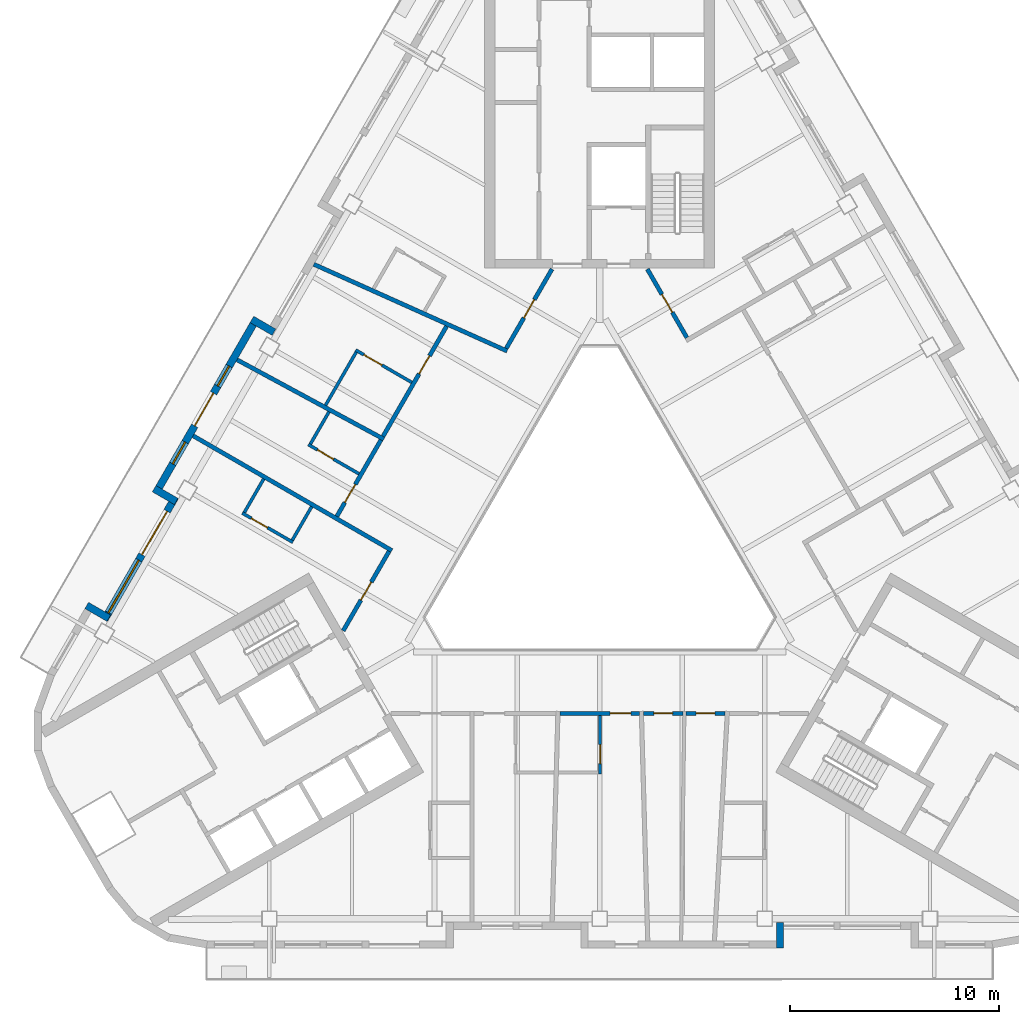
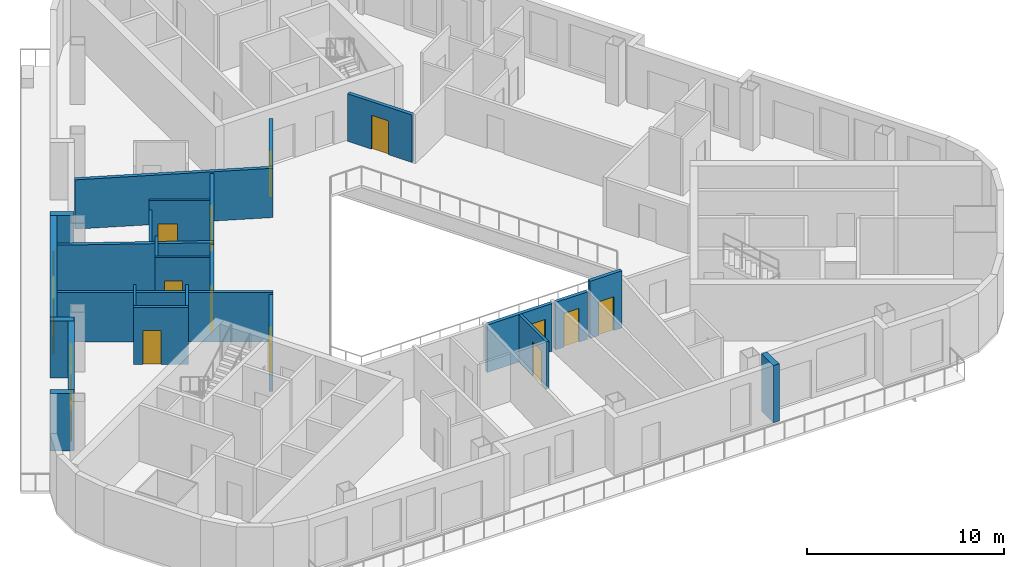
# One storey, part 4 of 14: 25 walls, 14 doors, 3 windows, 17 openings.
"""IFC4 building model written with IfcOpenShell, lengths in metres."""

from ifc_helpers import new_model, si_unit, direction, frame, frame_2d, origin, place, context, subcontext, project, spatial, rectangle, extrude, material, layer, layer_set, type_object, element, fill, save


model = new_model("IFC4")

# Units and contexts
model_context = context("Model", 3, precision=1e-05, world=origin(), true_north=direction((0.0, 1.0)))
body_context = subcontext(model_context, "Body", "Model", "MODEL_VIEW")
ifc_project = project(units=[si_unit("LENGTHUNIT", "METRE"), si_unit("AREAUNIT", "SQUARE_METRE"), si_unit("VOLUMEUNIT", "CUBIC_METRE"), si_unit("PLANEANGLEUNIT", "RADIAN"), si_unit("MASSUNIT", "GRAM", prefix="KILO")], contexts=[model_context])

# Site, building, storey
site_placement = place(None, origin())
site = spatial("IfcSite", under=ifc_project, at=site_placement, CompositionType="ELEMENT")
building_placement = place(site_placement, origin())
building = spatial("IfcBuilding", under=site, at=building_placement, Name="Apuvela Tower Hotel", CompositionType="ELEMENT")
storey_placement = place(building_placement, frame((0.0, 0.0, 220.60009765625)))
storey = spatial("IfcBuildingStorey", under=building, at=storey_placement, Name="L54", CompositionType="ELEMENT", Elevation=220.60009765625)

# Wall
ifc_material_1 = material(Name="Concrete C40/50, dark pigmented precast panel", Category="concrete")
ifc_layer_1 = layer(ifc_material_1, 0.35009765625)
ifc_layer_set_1 = layer_set([ifc_layer_1], Name="ENV-WALL-350")
wall_type_1 = type_object("IfcWallType", Name="ENV-WALL-350", PredefinedType="SOLIDWALL", material=ifc_layer_set_1)
wall_1_placement = place(storey_placement, frame((-15.580810546875, 9.8330078125, 0.0), z_axis=(0.0, 0.0, 1.0), x_axis=(-0.866055662726, 0.499947586314, 0.0)))
element("IfcWall", 1, at=wall_1_placement, inside=storey, type_object=wall_type_1, Name="External wall L54-04", PredefinedType="SOLIDWALL", context=body_context, shape_type="SweptSolid", body=[
    extrude(rectangle(XDim=1.220458984375, YDim=0.35009765625, at=frame_2d((0.6103515625, 0.0))), origin(), (0.0, 0.0, 1.0), 3.5498046875),
])

# Wall, openings, door, windows
wall_2_placement = place(storey_placement, frame((-16.3984375, 10.507080078125, 0.0), z_axis=(0.0, 0.0, 1.0), x_axis=(-0.499999142773, -0.866025898704, 0.0)))
wall_2 = element("IfcWall", 2, at=wall_2_placement, inside=storey, type_object=wall_type_1, Name="External wall L54-05", PredefinedType="SOLIDWALL", context=body_context, shape_type="SweptSolid", body=[
    extrude(rectangle(XDim=9.7001953125, YDim=0.35009765625, at=frame_2d((4.85009765625, 0.0))), origin(), (0.0, 0.0, 1.0), 3.5498046875),
])
opening_1_placement = place(wall_2_placement, frame((4.1494140625, 0.0, 0.0)))
opening_1 = element("IfcOpeningElement", 3, at=opening_1_placement, cuts=wall_2, Name="Opening BD18", PredefinedType="OPENING", context=body_context, shape_type="SweptSolid", body=[
    extrude(rectangle(XDim=1.800048828125, YDim=2.39990234375, at=frame_2d((0.89990234375, 1.199951171875))), frame((0.0, 0.18505859375, 0.0), z_axis=(0.0, -1.0, 0.0), x_axis=(1.0, 0.0, 0.0)), (0.0, 0.0, 1.0), 0.3701171875),
])
opening_2_placement = place(wall_2_placement, frame((2.650390625, 0.0, 0.300048828125)))
opening_2 = element("IfcOpeningElement", 4, at=opening_2_placement, cuts=wall_2, Name="Opening WN11", PredefinedType="OPENING", context=body_context, shape_type="SweptSolid", body=[
    extrude(rectangle(XDim=1.10009765625, YDim=2.64990234375, at=frame_2d((0.550048828125, 1.324951171875))), frame((0.0, 0.18505859375, 0.0), z_axis=(0.0, -1.0, 0.0), x_axis=(1.0, 0.0, 0.0)), (0.0, 0.0, 1.0), 0.3701171875),
])
opening_3_placement = place(wall_2_placement, frame((6.850341796875, 0.0, 0.300048828125)))
opening_3 = element("IfcOpeningElement", 5, at=opening_3_placement, cuts=wall_2, Name="Opening WN12", PredefinedType="OPENING", context=body_context, shape_type="SweptSolid", body=[
    extrude(rectangle(XDim=1.199951171875, YDim=2.64990234375, at=frame_2d((0.60009765625, 1.324951171875))), frame((0.0, 0.18505859375, 0.0), z_axis=(0.0, -1.0, 0.0), x_axis=(1.0, 0.0, 0.0)), (0.0, 0.0, 1.0), 0.3701171875),
])
ifc_material_2 = material(Name="Aluminium 6063-T6, dark bronze anodised frame with dark tinted laminated glass", Category="aluminium")
door_type_1 = type_object("IfcDoorType", Name="ENV-DOOR-BALCONY-1800x2400", OperationType="SLIDING_TO_LEFT", PredefinedType="DOOR", material=ifc_material_2)
door_1_placement = place(opening_1_placement, frame((1.800048828125, 0.0, 0.0), z_axis=(0.0, 0.0, 1.0), x_axis=(-1.0, 0.0, 0.0)))
door_1 = element("IfcDoor", 6, at=door_1_placement, inside=storey, type_object=door_type_1, Name="Balcony door BD18", OperationType="SLIDING_TO_LEFT", OverallHeight=2.39990234375, OverallWidth=1.800048828125, PredefinedType="DOOR", context=body_context, shape_type="SweptSolid", body=[
    extrude(rectangle(XDim=1.800048828125, YDim=2.39990234375, at=frame_2d((0.89990234375, 1.199951171875))), frame((0.0, 0.02490234375, 0.0), z_axis=(0.0, -1.0, 0.0), x_axis=(1.0, 0.0, 0.0)), (0.0, 0.0, 1.0), 0.050048828125),
])
fill(opening_1, door_1)
ifc_material_3 = material(Name="Glass, dark tinted laminated insulated glazing unit", Category="glass")
window_type_1 = type_object("IfcWindowType", Name="ENV-WIN-1100x2650", PartitioningType="SINGLE_PANEL", PredefinedType="WINDOW", material=ifc_material_3)
window_1_placement = place(opening_2_placement, origin())
window_1 = element("IfcWindow", 7, at=window_1_placement, inside=storey, type_object=window_type_1, Name="Window WN11", OverallHeight=2.64990234375, OverallWidth=1.10009765625, PartitioningType="SINGLE_PANEL", PredefinedType="WINDOW", context=body_context, shape_type="SweptSolid", body=[
    extrude(rectangle(XDim=1.10009765625, YDim=2.64990234375, at=frame_2d((0.550048828125, 1.324951171875))), frame((0.0, 0.030029296875, 0.0), z_axis=(0.0, -1.0, 0.0), x_axis=(1.0, 0.0, 0.0)), (0.0, 0.0, 1.0), 0.06005859375),
])
fill(opening_2, window_1)
window_type_2 = type_object("IfcWindowType", Name="ENV-WIN-1200x2650", PartitioningType="SINGLE_PANEL", PredefinedType="WINDOW", material=ifc_material_3)
window_2_placement = place(opening_3_placement, origin())
window_2 = element("IfcWindow", 8, at=window_2_placement, inside=storey, type_object=window_type_2, Name="Window WN12", OverallHeight=2.64990234375, OverallWidth=1.199951171875, PartitioningType="SINGLE_PANEL", PredefinedType="WINDOW", context=body_context, shape_type="SweptSolid", body=[
    extrude(rectangle(XDim=1.199951171875, YDim=2.64990234375, at=frame_2d((0.60009765625, 1.324951171875))), frame((0.0, 0.030029296875, 0.0), z_axis=(0.0, -1.0, 0.0), x_axis=(1.0, 0.0, 0.0)), (0.0, 0.0, 1.0), 0.06005859375),
])
fill(opening_3, window_2)

# Wall
wall_3_placement = place(storey_placement, frame((-21.3125, 2.345703125, 0.0), z_axis=(0.0, 0.0, 1.0), x_axis=(0.866005645448, -0.500034220881, 0.0)))
element("IfcWall", 9, at=wall_3_placement, inside=storey, type_object=wall_type_1, Name="External wall L54-06", PredefinedType="SOLIDWALL", context=body_context, shape_type="SweptSolid", body=[
    extrude(rectangle(XDim=1.22021484375, YDim=0.35009765625, at=frame_2d((0.610107421875, 0.0))), origin(), (0.0, 0.0, 1.0), 3.5498046875),
])

# Wall, openings, door, window
wall_4_placement = place(storey_placement, frame((-20.30908203125, 1.93359375, 0.0), z_axis=(0.0, 0.0, 1.0), x_axis=(-0.499992114976, -0.866029956157, 0.0)))
wall_4 = element("IfcWall", 10, at=wall_4_placement, inside=storey, type_object=wall_type_1, Name="External wall L54-07", PredefinedType="SOLIDWALL", context=body_context, shape_type="SweptSolid", body=[
    extrude(rectangle(XDim=6.73974609375, YDim=0.35009765625, at=frame_2d((3.369873046875, 0.0))), origin(), (0.0, 0.0, 1.0), 3.5498046875),
])
opening_4_placement = place(wall_4_placement, frame((0.77001953125, 0.0, 0.0)))
opening_4 = element("IfcOpeningElement", 11, at=opening_4_placement, cuts=wall_4, Name="Opening BD24", PredefinedType="OPENING", context=body_context, shape_type="SweptSolid", body=[
    extrude(rectangle(XDim=2.39990234375, YDim=2.39990234375, at=frame_2d((1.199951171875, 1.199951171875))), frame((0.0, 0.18505859375, 0.0), z_axis=(0.0, -1.0, 0.0), x_axis=(1.0, 0.0, 0.0)), (0.0, 0.0, 1.0), 0.3701171875),
])
opening_5_placement = place(wall_4_placement, frame((3.47021484375, 0.0, 0.300048828125)))
opening_5 = element("IfcOpeningElement", 12, at=opening_5_placement, cuts=wall_4, Name="Opening WN29", PredefinedType="OPENING", context=body_context, shape_type="SweptSolid", body=[
    extrude(rectangle(XDim=2.89990234375, YDim=2.64990234375, at=frame_2d((1.449951171875, 1.324951171875))), frame((0.0, 0.18505859375, 0.0), z_axis=(0.0, -1.0, 0.0), x_axis=(1.0, 0.0, 0.0)), (0.0, 0.0, 1.0), 0.3701171875),
])
door_type_2 = type_object("IfcDoorType", Name="ENV-DOOR-BALCONY-2400x2400", OperationType="SLIDING_TO_LEFT", PredefinedType="DOOR", material=ifc_material_2)
door_2_placement = place(opening_4_placement, frame((2.39990234375, 0.0, 0.0), z_axis=(0.0, 0.0, 1.0), x_axis=(-1.0, 0.0, 0.0)))
door_2 = element("IfcDoor", 13, at=door_2_placement, inside=storey, type_object=door_type_2, Name="Balcony door BD24", OperationType="SLIDING_TO_LEFT", OverallHeight=2.39990234375, OverallWidth=2.39990234375, PredefinedType="DOOR", context=body_context, shape_type="SweptSolid", body=[
    extrude(rectangle(XDim=2.39990234375, YDim=2.39990234375, at=frame_2d((1.199951171875, 1.199951171875))), frame((0.0, 0.02490234375, 0.0), z_axis=(0.0, -1.0, 0.0), x_axis=(1.0, 0.0, 0.0)), (0.0, 0.0, 1.0), 0.050048828125),
])
fill(opening_4, door_2)
window_type_3 = type_object("IfcWindowType", Name="ENV-WIN-2900x2650", PartitioningType="SINGLE_PANEL", PredefinedType="WINDOW", material=ifc_material_3)
window_3_placement = place(opening_5_placement, origin())
window_3 = element("IfcWindow", 14, at=window_3_placement, inside=storey, type_object=window_type_3, Name="Window WN29", OverallHeight=2.64990234375, OverallWidth=2.89990234375, PartitioningType="SINGLE_PANEL", PredefinedType="WINDOW", context=body_context, shape_type="SweptSolid", body=[
    extrude(rectangle(XDim=2.89990234375, YDim=2.64990234375, at=frame_2d((1.449951171875, 1.324951171875))), frame((0.0, 0.030029296875, 0.0), z_axis=(0.0, -1.0, 0.0), x_axis=(1.0, 0.0, 0.0)), (0.0, 0.0, 1.0), 0.06005859375),
])
fill(opening_5, window_3)

# Walls
for number, where, z_axis, x_axis, name in (
    (15, (-23.48095703125, -3.85009765625, 0.0), (0.0, 0.0, 1.0), (-0.866092288191, 0.499884134912, 0.0), "External wall L54-08"),
    (16, (8.625, -19.6298828125, 0.0), (0.0, 0.0, 1.0), (0.0, 1.0, 0.0), "External wall L54-22"),
):
    element("IfcWall", number, at=place(storey_placement, frame(where, z_axis=z_axis, x_axis=x_axis)), inside=storey, type_object=wall_type_1, Name=name, PredefinedType="SOLIDWALL", context=body_context, shape_type="SweptSolid", body=[
        extrude(rectangle(XDim=1.219970703125, YDim=0.35009765625, at=frame_2d((0.60986328125, 0.0))), origin(), (0.0, 0.0, 1.0), 3.5498046875),
    ])
ifc_material_4 = material(Name="Gypsum board partition on twin steel stud", Category="steel")
ifc_layer_2 = layer(ifc_material_4, 0.199951171875)
ifc_layer_set_2 = layer_set([ifc_layer_2], Name="GST-PW1")
wall_type_2 = type_object("IfcWallType", Name="GST-PW1", PredefinedType="PARTITIONING", material=ifc_layer_set_2)
wall_5_placement = place(storey_placement, frame((-13.671630859375, 13.080078125, 0.0), z_axis=(0.0, 0.0, 1.0), x_axis=(0.912311972773, -0.409495866077, 0.0)))
element("IfcWall", 17, at=wall_5_placement, inside=storey, type_object=wall_type_2, Name="L54 partition 07", PredefinedType="PARTITIONING", context=body_context, shape_type="SweptSolid", body=[
    extrude(rectangle(XDim=10.13232421875, YDim=0.199951171875, at=frame_2d((5.066162109375, 0.0))), origin(), (0.0, 0.0, 1.0), 3.059814453125),
])
wall_6_placement = place(storey_placement, frame((-17.346923828125, 8.51416015625, 0.0), z_axis=(0.0, 0.0, 1.0), x_axis=(0.879604495132, -0.475705720109, 0.0)))
element("IfcWall", 18, at=wall_6_placement, inside=storey, type_object=wall_type_2, Name="L54 partition 08", PredefinedType="PARTITIONING", context=body_context, shape_type="SweptSolid", body=[
    extrude(rectangle(XDim=7.983154296875, YDim=0.199951171875, at=frame_2d((3.99169921875, 0.0))), origin(), (0.0, 0.0, 1.0), 3.059814453125),
])
wall_7_placement = place(storey_placement, frame((-19.447021484375, 4.876953125, 0.0), z_axis=(0.0, 0.0, 1.0), x_axis=(0.866027479907, -0.499996404033, 0.0)))
element("IfcWall", 19, at=wall_7_placement, inside=storey, type_object=wall_type_2, Name="L54 partition 09", PredefinedType="PARTITIONING", context=body_context, shape_type="SweptSolid", body=[
    extrude(rectangle(XDim=10.97998046875, YDim=0.199951171875, at=frame_2d((5.489990234375, 0.0))), origin(), (0.0, 0.0, 1.0), 3.059814453125),
])

# Wall, opening, door
ifc_material_5 = material(Name="Gypsum board corridor wall on twin steel stud, acoustic", Category="steel")
ifc_layer_3 = layer(ifc_material_5, 0.199951171875)
ifc_layer_set_3 = layer_set([ifc_layer_3], Name="GST-PW2")
wall_type_3 = type_object("IfcWallType", Name="GST-PW2", PredefinedType="PARTITIONING", material=ifc_layer_set_3)
wall_8_placement = place(storey_placement, frame((1.897216796875, -8.39990234375, 0.0), z_axis=(0.0, 0.0, 1.0), x_axis=(-1.0, 0.0, 0.0)))
wall_8 = element("IfcWall", 20, at=wall_8_placement, inside=storey, type_object=wall_type_3, Name="L54 partition 17", PredefinedType="PARTITIONING", context=body_context, shape_type="SweptSolid", body=[
    extrude(rectangle(XDim=3.79443359375, YDim=0.199951171875, at=frame_2d((1.897216796875, 0.0))), origin(), (0.0, 0.0, 1.0), 2.949951171875),
])
opening_6_placement = place(wall_8_placement, frame((0.4013671875, 0.0, 0.0)))
opening_6 = element("IfcOpeningElement", 21, at=opening_6_placement, cuts=wall_8, Name="Opening GD21-06", PredefinedType="OPENING", context=body_context, shape_type="SweptSolid", body=[
    extrude(rectangle(XDim=1.0, YDim=2.10009765625, at=frame_2d((0.5, 1.050048828125))), frame((0.0, 0.10986328125, 0.0), z_axis=(0.0, -1.0, 0.0), x_axis=(1.0, 0.0, 0.0)), (0.0, 0.0, 1.0), 0.219970703125),
])
ifc_material_6 = material(Name="Timber door leaf in steel frame", Category="steel")
door_type_3 = type_object("IfcDoorType", Name="GST-D1", OperationType="NOTDEFINED", PredefinedType="DOOR", material=ifc_material_6)
door_3_placement = place(opening_6_placement, origin())
door_3 = element("IfcDoor", 22, at=door_3_placement, inside=storey, type_object=door_type_3, Name="Door L54-06", OperationType="SINGLE_SWING_LEFT", OverallHeight=2.10009765625, OverallWidth=1.0, PredefinedType="DOOR", context=body_context, shape_type="SweptSolid", body=[
    extrude(rectangle(XDim=1.0, YDim=2.10009765625, at=frame_2d((0.5, 1.050048828125))), frame((0.0, 0.02490234375, 0.0), z_axis=(0.0, -1.0, 0.0), x_axis=(1.0, 0.0, 0.0)), (0.0, 0.0, 1.0), 0.050048828125),
])
fill(opening_6, door_3)

wall_9_placement = place(storey_placement, frame((3.976318359375, -8.39990234375, 0.0), z_axis=(0.0, 0.0, 1.0), x_axis=(-1.0, 0.0, 0.0)))
wall_9 = element("IfcWall", 23, at=wall_9_placement, inside=storey, type_object=wall_type_3, Name="L54 partition 21", PredefinedType="PARTITIONING", context=body_context, shape_type="SweptSolid", body=[
    extrude(rectangle(XDim=1.87890625, YDim=0.199951171875, at=frame_2d((0.939453125, 0.0))), origin(), (0.0, 0.0, 1.0), 2.949951171875),
])
opening_7_placement = place(wall_9_placement, frame((0.489501953125, 0.0, 0.0)))
opening_7 = element("IfcOpeningElement", 24, at=opening_7_placement, cuts=wall_9, Name="Opening GD21-07", PredefinedType="OPENING", context=body_context, shape_type="SweptSolid", body=[
    extrude(rectangle(XDim=0.89990234375, YDim=2.10009765625, at=frame_2d((0.449951171875, 1.050048828125))), frame((0.0, 0.10986328125, 0.0), z_axis=(0.0, -1.0, 0.0), x_axis=(1.0, 0.0, 0.0)), (0.0, 0.0, 1.0), 0.219970703125),
])
door_type_4 = type_object("IfcDoorType", Name="GST-D2", OperationType="NOTDEFINED", PredefinedType="DOOR", material=ifc_material_6)
door_4_placement = place(opening_7_placement, origin())
door_4 = element("IfcDoor", 25, at=door_4_placement, inside=storey, type_object=door_type_4, Name="Door L54-07", OperationType="SINGLE_SWING_LEFT", OverallHeight=2.10009765625, OverallWidth=0.89990234375, PredefinedType="DOOR", context=body_context, shape_type="SweptSolid", body=[
    extrude(rectangle(XDim=0.89990234375, YDim=2.10009765625, at=frame_2d((0.449951171875, 1.050048828125))), frame((0.0, 0.02490234375, 0.0), z_axis=(0.0, -1.0, 0.0), x_axis=(1.0, 0.0, 0.0)), (0.0, 0.0, 1.0), 0.050048828125),
])
fill(opening_7, door_4)

wall_10_placement = place(storey_placement, frame((6.005615234375, -8.39990234375, 0.0), z_axis=(0.0, 0.0, 1.0), x_axis=(-1.0, 0.0, 0.0)))
wall_10 = element("IfcWall", 26, at=wall_10_placement, inside=storey, type_object=wall_type_3, Name="L54 partition 22", PredefinedType="PARTITIONING", context=body_context, shape_type="SweptSolid", body=[
    extrude(rectangle(XDim=1.879150390625, YDim=0.199951171875, at=frame_2d((0.939453125, 0.0))), origin(), (0.0, 0.0, 1.0), 3.5498046875),
])
opening_8_placement = place(wall_10_placement, frame((0.489501953125, 0.0, 0.0)))
opening_8 = element("IfcOpeningElement", 27, at=opening_8_placement, cuts=wall_10, Name="Opening GD21-08", PredefinedType="OPENING", context=body_context, shape_type="SweptSolid", body=[
    extrude(rectangle(XDim=0.89990234375, YDim=2.10009765625, at=frame_2d((0.449951171875, 1.050048828125))), frame((0.0, 0.10986328125, 0.0), z_axis=(0.0, -1.0, 0.0), x_axis=(1.0, 0.0, 0.0)), (0.0, 0.0, 1.0), 0.219970703125),
])
door_5_placement = place(opening_8_placement, origin())
door_5 = element("IfcDoor", 28, at=door_5_placement, inside=storey, type_object=door_type_4, Name="Door L54-08", OperationType="SINGLE_SWING_RIGHT", OverallHeight=2.10009765625, OverallWidth=0.89990234375, PredefinedType="DOOR", context=body_context, shape_type="SweptSolid", body=[
    extrude(rectangle(XDim=0.89990234375, YDim=2.10009765625, at=frame_2d((0.449951171875, 1.050048828125))), frame((0.0, 0.02490234375, 0.0), z_axis=(0.0, -1.0, 0.0), x_axis=(1.0, 0.0, 0.0)), (0.0, 0.0, 1.0), 0.050048828125),
])
fill(opening_8, door_5)

wall_11_placement = place(storey_placement, frame((2.280517578125, 12.85009765625, 0.0), z_axis=(0.0, 0.0, 1.0), x_axis=(0.499979074716, -0.866037484666, 0.0)))
wall_11 = element("IfcWall", 29, at=wall_11_placement, inside=storey, type_object=wall_type_3, Name="L54 partition 36", PredefinedType="PARTITIONING", context=body_context, shape_type="SweptSolid", body=[
    extrude(rectangle(XDim=3.788330078125, YDim=0.199951171875, at=frame_2d((1.89404296875, 0.0))), origin(), (0.0, 0.0, 1.0), 2.949951171875),
])
opening_9_placement = place(wall_11_placement, frame((1.39404296875, 0.0, 0.0)))
opening_9 = element("IfcOpeningElement", 30, at=opening_9_placement, cuts=wall_11, Name="Opening GD21-17", PredefinedType="OPENING", context=body_context, shape_type="SweptSolid", body=[
    extrude(rectangle(XDim=1.0, YDim=2.10009765625, at=frame_2d((0.5, 1.050048828125))), frame((0.0, 0.10986328125, 0.0), z_axis=(0.0, -1.0, 0.0), x_axis=(1.0, 0.0, 0.0)), (0.0, 0.0, 1.0), 0.219970703125),
])
door_6_placement = place(opening_9_placement, origin())
door_6 = element("IfcDoor", 31, at=door_6_placement, inside=storey, type_object=door_type_3, Name="Door L54-17", OperationType="SINGLE_SWING_RIGHT", OverallHeight=2.10009765625, OverallWidth=1.0, PredefinedType="DOOR", context=body_context, shape_type="SweptSolid", body=[
    extrude(rectangle(XDim=1.0, YDim=2.10009765625, at=frame_2d((0.5, 1.050048828125))), frame((0.0, 0.02490234375, 0.0), z_axis=(0.0, -1.0, 0.0), x_axis=(1.0, 0.0, 0.0)), (0.0, 0.0, 1.0), 0.050048828125),
])
fill(opening_9, door_6)

wall_12_placement = place(storey_placement, frame((-4.46923828125, 9.05908203125, 0.0), z_axis=(0.0, 0.0, 1.0), x_axis=(0.499996027077, 0.86602769754, 0.0)))
wall_12 = element("IfcWall", 32, at=wall_12_placement, inside=storey, type_object=wall_type_3, Name="L54 partition 40", PredefinedType="PARTITIONING", context=body_context, shape_type="SweptSolid", body=[
    extrude(rectangle(XDim=4.37744140625, YDim=0.199951171875, at=frame_2d((2.188720703125, 0.0))), origin(), (0.0, 0.0, 1.0), 2.949951171875),
])
opening_10_placement = place(wall_12_placement, frame((1.688720703125, 0.0, 0.0)))
opening_10 = element("IfcOpeningElement", 33, at=opening_10_placement, cuts=wall_12, Name="Opening GD21-19", PredefinedType="OPENING", context=body_context, shape_type="SweptSolid", body=[
    extrude(rectangle(XDim=1.0, YDim=2.10009765625, at=frame_2d((0.5, 1.050048828125))), frame((0.0, 0.10986328125, 0.0), z_axis=(0.0, -1.0, 0.0), x_axis=(1.0, 0.0, 0.0)), (0.0, 0.0, 1.0), 0.219970703125),
])
door_7_placement = place(opening_10_placement, origin())
door_7 = element("IfcDoor", 34, at=door_7_placement, inside=storey, type_object=door_type_3, Name="Door L54-19", OperationType="SINGLE_SWING_LEFT", OverallHeight=2.10009765625, OverallWidth=1.0, PredefinedType="DOOR", context=body_context, shape_type="SweptSolid", body=[
    extrude(rectangle(XDim=1.0, YDim=2.10009765625, at=frame_2d((0.5, 1.050048828125))), frame((0.0, 0.02490234375, 0.0), z_axis=(0.0, -1.0, 0.0), x_axis=(1.0, 0.0, 0.0)), (0.0, 0.0, 1.0), 0.050048828125),
])
fill(opening_10, door_7)

wall_13_placement = place(storey_placement, frame((-10.363037109375, 4.8505859375, 0.0), z_axis=(0.0, 0.0, 1.0), x_axis=(0.50000147882, 0.866024549986, 0.0)))
wall_13 = element("IfcWall", 35, at=wall_13_placement, inside=storey, type_object=wall_type_3, Name="L54 partition 44", PredefinedType="PARTITIONING", context=body_context, shape_type="SweptSolid", body=[
    extrude(rectangle(XDim=6.08447265625, YDim=0.199951171875, at=frame_2d((3.042236328125, 0.0))), origin(), (0.0, 0.0, 1.0), 2.949951171875),
])
opening_11_placement = place(wall_13_placement, frame((3.447265625, 0.0, 0.0)))
opening_11 = element("IfcOpeningElement", 36, at=opening_11_placement, cuts=wall_13, Name="Opening GD21-21", PredefinedType="OPENING", context=body_context, shape_type="SweptSolid", body=[
    extrude(rectangle(XDim=1.0, YDim=2.10009765625, at=frame_2d((0.5, 1.050048828125))), frame((0.0, 0.10986328125, 0.0), z_axis=(0.0, -1.0, 0.0), x_axis=(1.0, 0.0, 0.0)), (0.0, 0.0, 1.0), 0.219970703125),
])
door_8_placement = place(opening_11_placement, origin())
door_8 = element("IfcDoor", 37, at=door_8_placement, inside=storey, type_object=door_type_3, Name="Door L54-21", OperationType="SINGLE_SWING_RIGHT", OverallHeight=2.10009765625, OverallWidth=1.0, PredefinedType="DOOR", context=body_context, shape_type="SweptSolid", body=[
    extrude(rectangle(XDim=1.0, YDim=2.10009765625, at=frame_2d((0.5, 1.050048828125))), frame((0.0, 0.02490234375, 0.0), z_axis=(0.0, -1.0, 0.0), x_axis=(1.0, 0.0, 0.0)), (0.0, 0.0, 1.0), 0.050048828125),
])
fill(opening_11, door_8)

wall_14_placement = place(storey_placement, frame((-12.57275390625, 1.0234375, 0.0), z_axis=(0.0, 0.0, 1.0), x_axis=(0.499991256393, 0.86603045185, 0.0)))
wall_14 = element("IfcWall", 38, at=wall_14_placement, inside=storey, type_object=wall_type_3, Name="L54 partition 47", PredefinedType="PARTITIONING", context=body_context, shape_type="SweptSolid", body=[
    extrude(rectangle(XDim=4.21923828125, YDim=0.199951171875, at=frame_2d((2.109619140625, 0.0))), origin(), (0.0, 0.0, 1.0), 2.949951171875),
])
opening_12_placement = place(wall_14_placement, frame((0.766357421875, 0.0, 0.0)))
opening_12 = element("IfcOpeningElement", 39, at=opening_12_placement, cuts=wall_14, Name="Opening GD21-23", PredefinedType="OPENING", context=body_context, shape_type="SweptSolid", body=[
    extrude(rectangle(XDim=1.0, YDim=2.10009765625, at=frame_2d((0.5, 1.050048828125))), frame((0.0, 0.10986328125, 0.0), z_axis=(0.0, -1.0, 0.0), x_axis=(1.0, 0.0, 0.0)), (0.0, 0.0, 1.0), 0.219970703125),
])
door_9_placement = place(opening_12_placement, origin())
door_9 = element("IfcDoor", 40, at=door_9_placement, inside=storey, type_object=door_type_3, Name="Door L54-23", OperationType="SINGLE_SWING_LEFT", OverallHeight=2.10009765625, OverallWidth=1.0, PredefinedType="DOOR", context=body_context, shape_type="SweptSolid", body=[
    extrude(rectangle(XDim=1.0, YDim=2.10009765625, at=frame_2d((0.5, 1.050048828125))), frame((0.0, 0.02490234375, 0.0), z_axis=(0.0, -1.0, 0.0), x_axis=(1.0, 0.0, 0.0)), (0.0, 0.0, 1.0), 0.050048828125),
])
fill(opening_12, door_9)

wall_15_placement = place(storey_placement, frame((-12.268798828125, -4.449951171875, 0.0), z_axis=(0.0, 0.0, 1.0), x_axis=(0.499998569178, 0.866026229868, 0.0)))
wall_15 = element("IfcWall", 41, at=wall_15_placement, inside=storey, type_object=wall_type_3, Name="L54 partition 50", PredefinedType="PARTITIONING", context=body_context, shape_type="SweptSolid", body=[
    extrude(rectangle(XDim=4.38818359375, YDim=0.199951171875, at=frame_2d((2.194091796875, 0.0))), origin(), (0.0, 0.0, 1.0), 2.949951171875),
])
opening_13_placement = place(wall_15_placement, frame((1.694091796875, 0.0, 0.0)))
opening_13 = element("IfcOpeningElement", 42, at=opening_13_placement, cuts=wall_15, Name="Opening GD21-25", PredefinedType="OPENING", context=body_context, shape_type="SweptSolid", body=[
    extrude(rectangle(XDim=1.0, YDim=2.10009765625, at=frame_2d((0.5, 1.050048828125))), frame((0.0, 0.10986328125, 0.0), z_axis=(0.0, -1.0, 0.0), x_axis=(1.0, 0.0, 0.0)), (0.0, 0.0, 1.0), 0.219970703125),
])
door_10_placement = place(opening_13_placement, origin())
door_10 = element("IfcDoor", 43, at=door_10_placement, inside=storey, type_object=door_type_3, Name="Door L54-25", OperationType="SINGLE_SWING_RIGHT", OverallHeight=2.10009765625, OverallWidth=1.0, PredefinedType="DOOR", context=body_context, shape_type="SweptSolid", body=[
    extrude(rectangle(XDim=1.0, YDim=2.10009765625, at=frame_2d((0.5, 1.050048828125))), frame((0.0, 0.02490234375, 0.0), z_axis=(0.0, -1.0, 0.0), x_axis=(1.0, 0.0, 0.0)), (0.0, 0.0, 1.0), 0.050048828125),
])
fill(opening_13, door_10)

ifc_material_7 = material(Name="Moisture-resistant gypsum board wet wall on steel stud", Category="steel")
ifc_layer_4 = layer(ifc_material_7, 0.14990234375)
ifc_layer_set_4 = layer_set([ifc_layer_4], Name="GST-PW3")
wall_type_4 = type_object("IfcWallType", Name="GST-PW3", PredefinedType="PARTITIONING", material=ifc_layer_set_4)
wall_16_placement = place(storey_placement, frame((0.019287109375, -11.300048828125, 0.0), z_axis=(0.0, 0.0, 1.0), x_axis=(0.0, 1.0, 0.0)))
wall_16 = element("IfcWall", 44, at=wall_16_placement, inside=storey, type_object=wall_type_4, Name="L54 partition 18", PredefinedType="PARTITIONING", context=body_context, shape_type="SweptSolid", body=[
    extrude(rectangle(XDim=2.800048828125, YDim=0.14990234375, at=frame_2d((1.39990234375, 0.0))), origin(), (0.0, 0.0, 1.0), 2.949951171875),
])
opening_14_placement = place(wall_16_placement, frame((0.5, 0.0, 0.0)))
opening_14 = element("IfcOpeningElement", 45, at=opening_14_placement, cuts=wall_16, Name="Opening GD21-05", PredefinedType="OPENING", context=body_context, shape_type="SweptSolid", body=[
    extrude(rectangle(XDim=0.89990234375, YDim=2.10009765625, at=frame_2d((0.449951171875, 1.050048828125))), frame((0.0, 0.0849609375, 0.0), z_axis=(0.0, -1.0, 0.0), x_axis=(1.0, 0.0, 0.0)), (0.0, 0.0, 1.0), 0.169921875),
])
door_11_placement = place(opening_14_placement, origin())
door_11 = element("IfcDoor", 46, at=door_11_placement, inside=storey, type_object=door_type_4, Name="Door L54-05", OperationType="SINGLE_SWING_LEFT", OverallHeight=2.10009765625, OverallWidth=0.89990234375, PredefinedType="DOOR", context=body_context, shape_type="SweptSolid", body=[
    extrude(rectangle(XDim=0.89990234375, YDim=2.10009765625, at=frame_2d((0.449951171875, 1.050048828125))), frame((0.0, 0.02490234375, 0.0), z_axis=(0.0, -1.0, 0.0), x_axis=(1.0, 0.0, 0.0)), (0.0, 0.0, 1.0), 0.050048828125),
])
fill(opening_14, door_11)

wall_17_placement = place(storey_placement, frame((-8.988525390625, 7.431396484375, 0.0), z_axis=(0.0, 0.0, 1.0), x_axis=(-0.86600983753, 0.500026960575, 0.0)))
wall_17 = element("IfcWall", 47, at=wall_17_placement, inside=storey, type_object=wall_type_4, Name="L54 partition 45", PredefinedType="PARTITIONING", context=body_context, shape_type="SweptSolid", body=[
    extrude(rectangle(XDim=3.099853515625, YDim=0.14990234375, at=frame_2d((1.5498046875, 0.0))), origin(), (0.0, 0.0, 1.0), 3.5498046875),
])
opening_15_placement = place(wall_17_placement, frame((1.64990234375, 0.0, 0.0)))
opening_15 = element("IfcOpeningElement", 48, at=opening_15_placement, cuts=wall_17, Name="Opening GD21-20", PredefinedType="OPENING", context=body_context, shape_type="SweptSolid", body=[
    extrude(rectangle(XDim=1.0, YDim=2.10009765625, at=frame_2d((0.5, 1.050048828125))), frame((0.0, 0.0849609375, 0.0), z_axis=(0.0, -1.0, 0.0), x_axis=(1.0, 0.0, 0.0)), (0.0, 0.0, 1.0), 0.169921875),
])
door_12_placement = place(opening_15_placement, origin())
door_12 = element("IfcDoor", 49, at=door_12_placement, inside=storey, type_object=door_type_3, Name="Door L54-20", OperationType="SINGLE_SWING_RIGHT", OverallHeight=2.10009765625, OverallWidth=1.0, PredefinedType="DOOR", context=body_context, shape_type="SweptSolid", body=[
    extrude(rectangle(XDim=1.0, YDim=2.10009765625, at=frame_2d((0.5, 1.050048828125))), frame((0.0, 0.02490234375, 0.0), z_axis=(0.0, -1.0, 0.0), x_axis=(1.0, 0.0, 0.0)), (0.0, 0.0, 1.0), 0.050048828125),
])
fill(opening_15, door_12)

# Wall
wall_18_placement = place(storey_placement, frame((-11.645751953125, 8.87890625, 0.0), z_axis=(0.0, 0.0, 1.0), x_axis=(-0.499996155683, -0.86602762329, 0.0)))
element("IfcWall", 50, at=wall_18_placement, inside=storey, type_object=wall_type_4, Name="L54 partition 46", PredefinedType="PARTITIONING", context=body_context, shape_type="SweptSolid", body=[
    extrude(rectangle(XDim=2.93408203125, YDim=0.14990234375, at=frame_2d((1.467041015625, 0.0))), origin(), (0.0, 0.0, 1.0), 2.949951171875),
])

# Wall, opening, door
wall_19_placement = place(storey_placement, frame((-13.9384765625, 4.4580078125, 0.0), z_axis=(0.0, 0.0, 1.0), x_axis=(0.865996816683, -0.500049511043, 0.0)))
wall_19 = element("IfcWall", 51, at=wall_19_placement, inside=storey, type_object=wall_type_4, Name="L54 partition 48", PredefinedType="PARTITIONING", context=body_context, shape_type="SweptSolid", body=[
    extrude(rectangle(XDim=2.800048828125, YDim=0.14990234375, at=frame_2d((1.39990234375, 0.0))), origin(), (0.0, 0.0, 1.0), 3.5498046875),
])
opening_16_placement = place(wall_19_placement, frame((0.5, 0.0, 0.0)))
opening_16 = element("IfcOpeningElement", 52, at=opening_16_placement, cuts=wall_19, Name="Opening GD21-22", PredefinedType="OPENING", context=body_context, shape_type="SweptSolid", body=[
    extrude(rectangle(XDim=0.89990234375, YDim=2.10009765625, at=frame_2d((0.449951171875, 1.050048828125))), frame((0.0, 0.0849609375, 0.0), z_axis=(0.0, -1.0, 0.0), x_axis=(1.0, 0.0, 0.0)), (0.0, 0.0, 1.0), 0.169921875),
])
door_13_placement = place(opening_16_placement, origin())
door_13 = element("IfcDoor", 53, at=door_13_placement, inside=storey, type_object=door_type_4, Name="Door L54-22", OperationType="SINGLE_SWING_LEFT", OverallHeight=2.10009765625, OverallWidth=0.89990234375, PredefinedType="DOOR", context=body_context, shape_type="SweptSolid", body=[
    extrude(rectangle(XDim=0.89990234375, YDim=2.10009765625, at=frame_2d((0.449951171875, 1.050048828125))), frame((0.0, 0.02490234375, 0.0), z_axis=(0.0, -1.0, 0.0), x_axis=(1.0, 0.0, 0.0)), (0.0, 0.0, 1.0), 0.050048828125),
])
fill(opening_16, door_13)

# Wall
wall_20_placement = place(storey_placement, frame((-12.948974609375, 6.02197265625, 0.0), z_axis=(0.0, 0.0, 1.0), x_axis=(-0.499913039621, -0.866075604562, 0.0)))
element("IfcWall", 54, at=wall_20_placement, inside=storey, type_object=wall_type_4, Name="L54 partition 49", PredefinedType="PARTITIONING", context=body_context, shape_type="SweptSolid", body=[
    extrude(rectangle(XDim=1.774169921875, YDim=0.14990234375, at=frame_2d((0.88720703125, 0.0))), origin(), (0.0, 0.0, 1.0), 3.5498046875),
])

# Wall, opening, door
wall_21_placement = place(storey_placement, frame((-17.099365234375, 1.18310546875, 0.0), z_axis=(0.0, 0.0, 1.0), x_axis=(0.866056369097, -0.49994636267, 0.0)))
wall_21 = element("IfcWall", 55, at=wall_21_placement, inside=storey, type_object=wall_type_4, Name="L54 partition 51", PredefinedType="PARTITIONING", context=body_context, shape_type="SweptSolid", body=[
    extrude(rectangle(XDim=2.800048828125, YDim=0.14990234375, at=frame_2d((1.39990234375, 0.0))), origin(), (0.0, 0.0, 1.0), 3.5498046875),
])
opening_17_placement = place(wall_21_placement, frame((0.5, 0.0, 0.0)))
opening_17 = element("IfcOpeningElement", 56, at=opening_17_placement, cuts=wall_21, Name="Opening GD21-24", PredefinedType="OPENING", context=body_context, shape_type="SweptSolid", body=[
    extrude(rectangle(XDim=0.89990234375, YDim=2.10009765625, at=frame_2d((0.449951171875, 1.050048828125))), frame((0.0, 0.0849609375, 0.0), z_axis=(0.0, -1.0, 0.0), x_axis=(1.0, 0.0, 0.0)), (0.0, 0.0, 1.0), 0.169921875),
])
door_14_placement = place(opening_17_placement, origin())
door_14 = element("IfcDoor", 57, at=door_14_placement, inside=storey, type_object=door_type_4, Name="Door L54-24", OperationType="SINGLE_SWING_LEFT", OverallHeight=2.10009765625, OverallWidth=0.89990234375, PredefinedType="DOOR", context=body_context, shape_type="SweptSolid", body=[
    extrude(rectangle(XDim=0.89990234375, YDim=2.10009765625, at=frame_2d((0.449951171875, 1.050048828125))), frame((0.0, 0.02490234375, 0.0), z_axis=(0.0, -1.0, 0.0), x_axis=(1.0, 0.0, 0.0)), (0.0, 0.0, 1.0), 0.050048828125),
])
fill(opening_17, door_14)

# Walls
wall_22_placement = place(storey_placement, frame((-16.07177734375, 2.812744140625, 0.0), z_axis=(0.0, 0.0, 1.0), x_axis=(-0.500042316284, -0.866000971088, 0.0)))
element("IfcWall", 58, at=wall_22_placement, inside=storey, type_object=wall_type_4, Name="L54 partition 52", PredefinedType="PARTITIONING", context=body_context, shape_type="SweptSolid", body=[
    extrude(rectangle(XDim=1.849853515625, YDim=0.14990234375, at=frame_2d((0.9248046875, 0.0))), origin(), (0.0, 0.0, 1.0), 3.5498046875),
])
wall_23_placement = place(storey_placement, frame((-13.77685546875, 1.48779296875, 0.0), z_axis=(0.0, 0.0, 1.0), x_axis=(-0.499985172903, -0.866033964044, 0.0)))
element("IfcWall", 59, at=wall_23_placement, inside=storey, type_object=wall_type_4, Name="L54 partition 53", PredefinedType="PARTITIONING", context=body_context, shape_type="SweptSolid", body=[
    extrude(rectangle(XDim=1.85009765625, YDim=0.14990234375, at=frame_2d((0.925048828125, 0.0))), origin(), (0.0, 0.0, 1.0), 3.5498046875),
])

save(model, "model.ifc")
